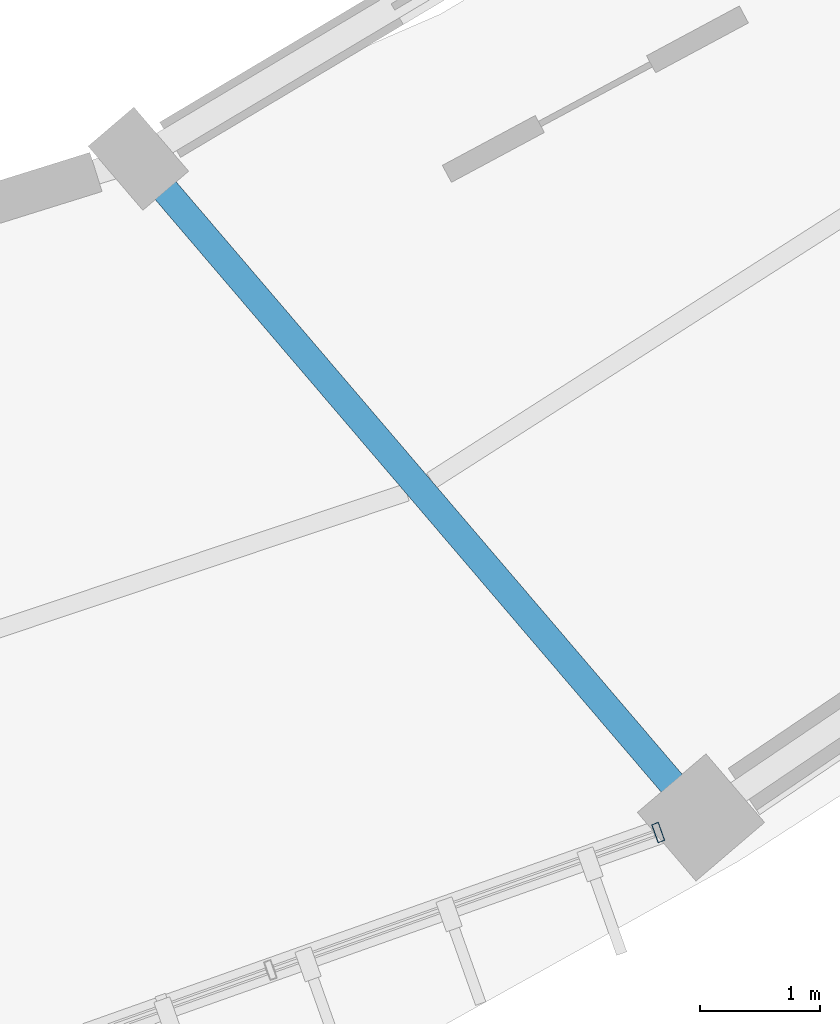
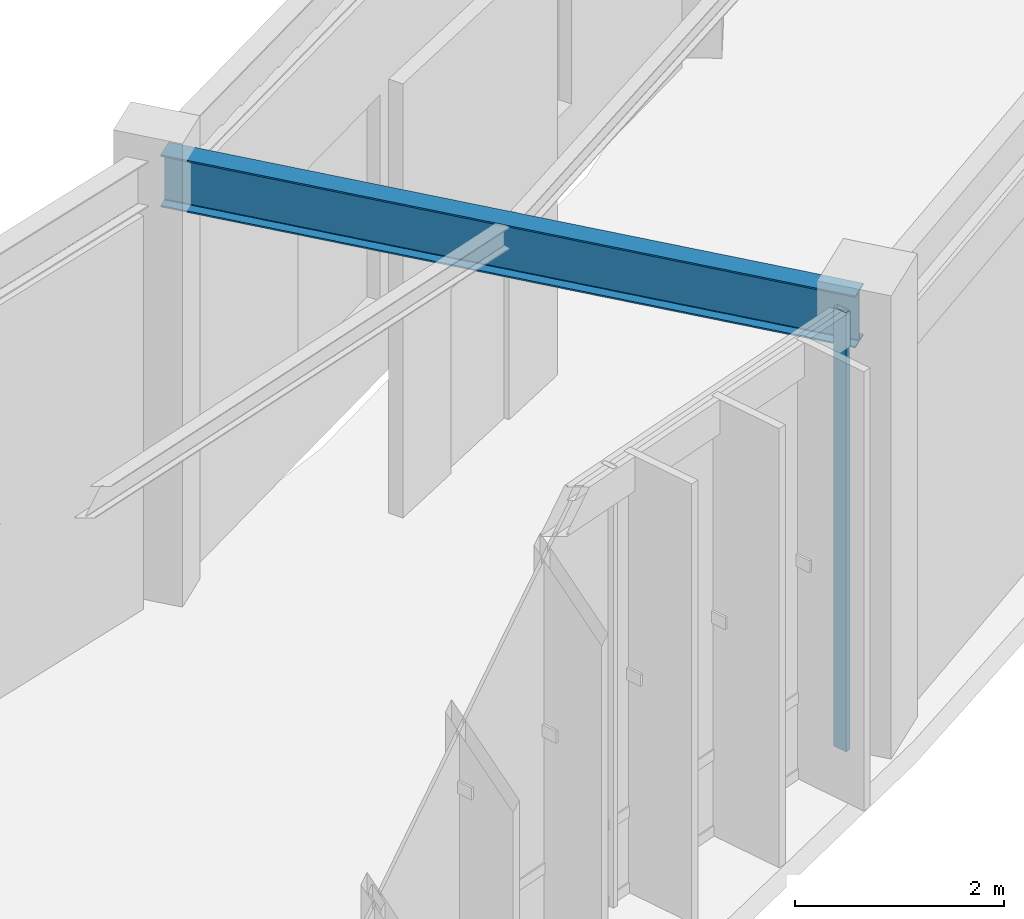
# One storey, part 64 of 157: 1 beam, 1 member, 1 element without a shape of its own.
"""IFC4 building model written with IfcOpenShell, lengths in metres."""

from ifc_helpers import new_model, si_unit, direction, frame, origin, origin_2d, place, context, subcontext, project, spatial, hollow_rectangle, i_section, extrude, material, material_profile, profile_set, type_object, element, aggregate, save


model = new_model("IFC4")

# Units and contexts
model_context = context("Model", 3, precision=1e-05, world=origin(), true_north=direction((0.0, 1.0)))
body_context = subcontext(model_context, "Body", "Model", "MODEL_VIEW")
ifc_project = project(units=[si_unit("LENGTHUNIT", "METRE"), si_unit("AREAUNIT", "SQUARE_METRE"), si_unit("VOLUMEUNIT", "CUBIC_METRE"), si_unit("PLANEANGLEUNIT", "RADIAN"), si_unit("MASSUNIT", "GRAM", prefix="KILO"), si_unit("THERMODYNAMICTEMPERATUREUNIT", "KELVIN"), si_unit("POWERUNIT", "WATT")], contexts=[model_context])

# Site, building, storey
site_placement = place(None, origin())
site = spatial("IfcSite", under=ifc_project, at=site_placement, CompositionType="ELEMENT")
building_placement = place(site_placement, origin())
building = spatial("IfcBuilding", under=site, at=building_placement, Name="Darbajah Civic Hall", CompositionType="ELEMENT")
storey_placement = place(building_placement, origin())
storey = spatial("IfcBuildingStorey", under=building, at=storey_placement, Name="L00", CompositionType="ELEMENT", Elevation=0.0)

# Curtain wall, member
ifc_material_1 = material(Name="Anodised Bronze Aluminium and Low-E Glazing", Category="aluminium")
curtain_wall_type = type_object("IfcCurtainWallType", Name="Unitised Curtain Wall CW-15 13700x5100", PredefinedType="USERDEFINED", material=ifc_material_1)
curtain_wall_placement = place(storey_placement, origin())
curtain_wall = element("IfcCurtainWall", 1, at=curtain_wall_placement, inside=storey, type_object=curtain_wall_type, Name="L00 unitised curtain wall CW-V1O-L00-16", ObjectType="UNITISED CURTAIN WALL", PredefinedType="USERDEFINED")
ifc_material_2 = material(Name="Anodised Bronze Aluminium", Category="aluminium")
ifc_material_profile_1 = material_profile(ifc_material_2, hollow_rectangle(XDim=0.06005859375, YDim=0.159912109375, WallThickness=0.00341796875, at=origin_2d()), Name="ALU MULLION 60x160")
ifc_profile_set_1 = profile_set([ifc_material_profile_1], Name="Anodised Bronze Aluminium")
member_type = type_object("IfcMemberType", Name="ALU MULLION 60x160", PredefinedType="MULLION", material=ifc_profile_set_1)
member_placement = place(storey_placement, frame((121.86669921875, 67.241943359375, 0.0), z_axis=(0.0, 0.0, 1.0), x_axis=(0.94252491309, 0.334135882844, 0.0)))
member = element("IfcMember", 2, at=member_placement, type_object=member_type, Name="CW-V1O-L00-16 mullion 5", PredefinedType="MULLION", context=body_context, shape_type="SweptSolid", body=[
    extrude(hollow_rectangle(XDim=0.06005859375, YDim=0.159912109375, WallThickness=0.00341796875, at=origin_2d()), origin(), (0.0, 0.0, 1.0), 5.1201171875),
])
aggregate(curtain_wall, [member])

# Beam
ifc_material_3 = material(Name="Steel S355JR", Category="steel")
ifc_material_profile_2 = material_profile(ifc_material_3, i_section(OverallWidth=0.228271484375, OverallDepth=0.607666015625, WebThickness=0.010986328125, FlangeThickness=0.017333984375, FilletRadius=0.0126953125, at=origin_2d()), Name="UB 610x229x113")
ifc_profile_set_2 = profile_set([ifc_material_profile_2], Name="Steel S355JR")
beam_type = type_object("IfcBeamType", Name="UB 610x229x113", PredefinedType="BEAM", material=ifc_profile_set_2)
beam_placement = place(storey_placement, frame((117.597900390625, 72.781982421875, 4.816162109375), z_axis=(0.649439482197, -0.760413281686, 0.0), x_axis=(0.760413281686, 0.649439482197, 0.0)))
element("IfcBeam", 3, at=beam_placement, inside=storey, type_object=beam_type, Name="L00 beam SB-610", PredefinedType="BEAM", context=body_context, shape_type="SweptSolid", body=[
    extrude(i_section(OverallWidth=0.228271484375, OverallDepth=0.607666015625, WebThickness=0.010986328125, FlangeThickness=0.017333984375, FilletRadius=0.0126953125, at=origin_2d()), origin(), (0.0, 0.0, 1.0), 7.0400390625),
])

save(model, "model.ifc")
